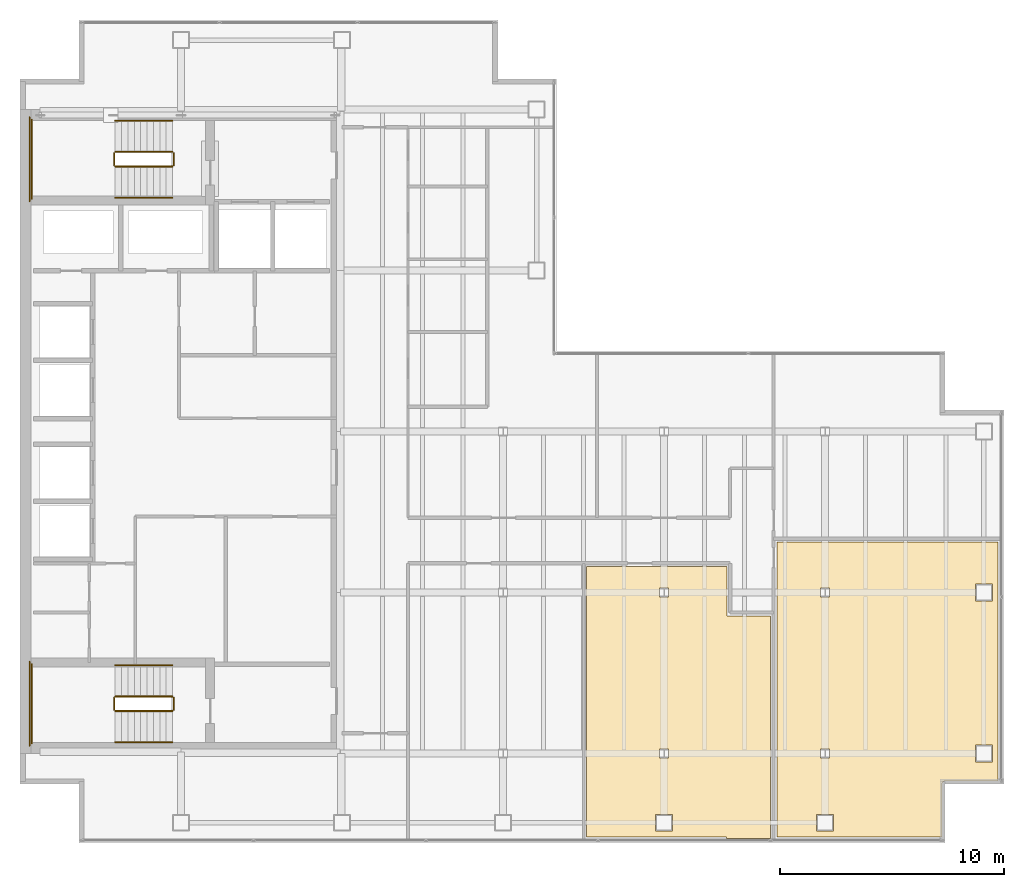
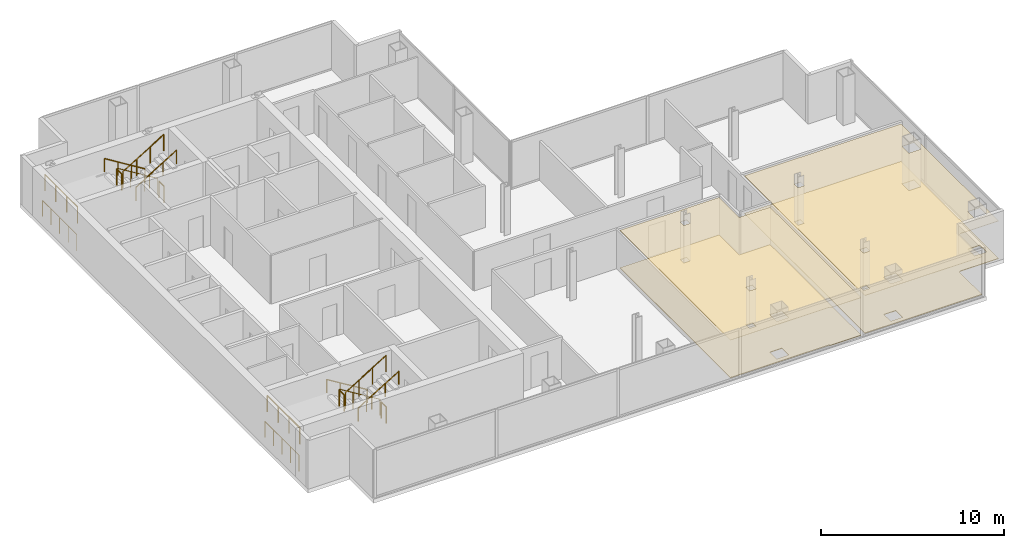
# One storey, part 23 of 23: 16 railings, 4 coverings.
"""IFC4 building model written with IfcOpenShell, lengths in metres."""

from ifc_helpers import new_model, si_unit, direction, frame, origin, origin_2d, place, context, subcontext, project, spatial, polyline, circle, outline, extrude, material, layer, layer_set, type_object, element, save


model = new_model("IFC4")

# Units and contexts
model_context = context("Model", 3, precision=1e-05, world=origin(), true_north=direction((0.0, 1.0)))
body_context = subcontext(model_context, "Body", "Model", "MODEL_VIEW")
ifc_project = project(units=[si_unit("LENGTHUNIT", "METRE"), si_unit("AREAUNIT", "SQUARE_METRE"), si_unit("VOLUMEUNIT", "CUBIC_METRE"), si_unit("PLANEANGLEUNIT", "RADIAN"), si_unit("MASSUNIT", "GRAM", prefix="KILO")], contexts=[model_context])

# Site, building, storey
site_placement = place(None, origin())
site = spatial("IfcSite", under=ifc_project, at=site_placement, CompositionType="ELEMENT")
building_placement = place(site_placement, origin())
building = spatial("IfcBuilding", under=site, at=building_placement, Name="Cobrela Telecom Tower", CompositionType="ELEMENT")
storey_placement = place(building_placement, frame((0.0, 0.0, 208.25)))
storey = spatial("IfcBuildingStorey", under=building, at=storey_placement, Name="L53", CompositionType="ELEMENT", Elevation=208.25)

# Coverings
ifc_material_1 = material(Name="Mineral Fibre Acoustic Ceiling Tile")
ifc_layer_1 = layer(ifc_material_1, 0.02490234375)
ifc_layer_set_1 = layer_set([ifc_layer_1], Name="Mineral Fibre Acoustic Ceiling Tile")
covering_type_1 = type_object("IfcCoveringType", Name="COV-CEIL-ACT", PredefinedType="CEILING", material=ifc_layer_set_1)
covering_1_placement = place(storey_placement, frame((0.0, 0.0, 2.52001953125)))
element("IfcCovering", 1, at=covering_1_placement, inside=storey, type_object=covering_type_1, Name="L53 Systems Engineering Studio 7 Suspended Acoustic Ceiling", PredefinedType="CEILING", context=body_context, shape_type="SweptSolid", body=[
    extrude(outline(polyline([(43.739990234375, 5.969970703125), (41.368896484375, 5.969970703125), (41.356201171875, 5.969482421875), (41.3427734375, 5.96728515625), (41.329345703125, 5.964111328125), (41.31640625, 5.95947265625), (41.303955078125, 5.95361328125), (41.2919921875, 5.9462890625), (41.28125, 5.938232421875), (41.27099609375, 5.928955078125), (41.26171875, 5.918701171875), (41.253662109375, 5.907958984375), (41.24658203125, 5.89599609375), (41.240478515625, 5.883544921875), (41.236083984375, 5.87060546875), (41.232666015625, 5.857421875), (41.230712890625, 5.84375), (41.22998046875, 5.8310546875), (41.22998046875, 3.4599609375), (33.840087890625, 3.4599609375), (33.840087890625, 16.659912109375), (43.739990234375, 16.659912109375), (43.739990234375, 5.969970703125)]), holes=[polyline([(36.375, 4.47509765625), (35.625, 4.47509765625), (35.625, 3.72509765625), (36.375, 3.72509765625), (36.375, 4.47509765625)]), polyline([(36.199462890625, 7.0029296875), (36.199462890625, 7.39697265625), (35.800537109375, 7.39697265625), (35.800537109375, 7.0029296875), (36.199462890625, 7.0029296875)]), polyline([(43.47509765625, 6.824951171875), (43.47509765625, 7.574951171875), (42.72509765625, 7.574951171875), (42.72509765625, 6.824951171875), (43.47509765625, 6.824951171875)]), polyline([(36.199462890625, 14.202880859375), (36.199462890625, 14.596923828125), (35.800537109375, 14.596923828125), (35.800537109375, 14.202880859375), (36.199462890625, 14.202880859375)]), polyline([(43.47509765625, 14.02490234375), (43.47509765625, 14.77490234375), (42.72509765625, 14.77490234375), (42.72509765625, 14.02490234375), (43.47509765625, 14.02490234375)])]), origin(), (0.0, 0.0, 1.0), 0.02490234375),
])
covering_2_placement = place(storey_placement, frame((0.0, 0.0, 2.52001953125)))
element("IfcCovering", 2, at=covering_2_placement, inside=storey, type_object=covering_type_1, Name="L53 Security Control Room 6 Suspended Acoustic Ceiling", PredefinedType="CEILING", context=body_context, shape_type="SweptSolid", body=[
    extrude(outline(polyline([(25.340087890625, 3.4599609375), (25.340087890625, 15.56005859375), (31.610107421875, 15.56005859375), (31.610107421875, 13.360107421875), (33.56005859375, 13.360107421875), (33.56005859375, 3.389892578125), (31.590087890625, 3.389892578125), (31.590087890625, 3.4599609375), (25.340087890625, 3.4599609375)]), holes=[polyline([(29.175048828125, 3.72509765625), (29.175048828125, 4.47509765625), (28.425048828125, 4.47509765625), (28.425048828125, 3.72509765625), (29.175048828125, 3.72509765625)]), polyline([(28.99951171875, 7.39697265625), (28.6005859375, 7.39697265625), (28.6005859375, 7.0029296875), (28.99951171875, 7.0029296875), (28.99951171875, 7.39697265625)]), polyline([(28.99951171875, 14.596923828125), (28.6005859375, 14.596923828125), (28.6005859375, 14.202880859375), (28.99951171875, 14.202880859375), (28.99951171875, 14.596923828125)])]), origin(), (0.0, 0.0, 1.0), 0.02490234375),
])
ifc_material_2 = material(Name="Honed Colombian Basalt Stone", Category="masonry")
ifc_layer_2 = layer(ifc_material_2, 0.0400390625)
ifc_layer_set_2 = layer_set([ifc_layer_2], Name="Honed Colombian Basalt Stone")
covering_type_2 = type_object("IfcCoveringType", Name="COV-FLR-STONE", PredefinedType="FLOORING", material=ifc_layer_set_2)
covering_3_placement = place(storey_placement, origin())
element("IfcCovering", 3, at=covering_3_placement, inside=storey, type_object=covering_type_2, Name="L53 Systems Engineering Studio 7 Raised Technical Flooring", PredefinedType="FLOORING", context=body_context, shape_type="SweptSolid", body=[
    extrude(outline(polyline([(43.739990234375, 5.969970703125), (41.368896484375, 5.969970703125), (41.356201171875, 5.969482421875), (41.3427734375, 5.96728515625), (41.329345703125, 5.964111328125), (41.31640625, 5.95947265625), (41.303955078125, 5.95361328125), (41.2919921875, 5.9462890625), (41.28125, 5.938232421875), (41.27099609375, 5.928955078125), (41.26171875, 5.918701171875), (41.253662109375, 5.907958984375), (41.24658203125, 5.89599609375), (41.240478515625, 5.883544921875), (41.236083984375, 5.87060546875), (41.232666015625, 5.857421875), (41.230712890625, 5.84375), (41.22998046875, 5.8310546875), (41.22998046875, 3.4599609375), (33.840087890625, 3.4599609375), (33.840087890625, 16.659912109375), (43.739990234375, 16.659912109375), (43.739990234375, 5.969970703125)]), holes=[polyline([(36.375, 4.47509765625), (35.625, 4.47509765625), (35.625, 3.72509765625), (36.375, 3.72509765625), (36.375, 4.47509765625)]), polyline([(36.199462890625, 7.0029296875), (36.199462890625, 7.39697265625), (35.800537109375, 7.39697265625), (35.800537109375, 7.0029296875), (36.199462890625, 7.0029296875)]), polyline([(43.47509765625, 6.824951171875), (43.47509765625, 7.574951171875), (42.72509765625, 7.574951171875), (42.72509765625, 6.824951171875), (43.47509765625, 6.824951171875)]), polyline([(36.199462890625, 14.202880859375), (36.199462890625, 14.596923828125), (35.800537109375, 14.596923828125), (35.800537109375, 14.202880859375), (36.199462890625, 14.202880859375)]), polyline([(43.47509765625, 14.02490234375), (43.47509765625, 14.77490234375), (42.72509765625, 14.77490234375), (42.72509765625, 14.02490234375), (43.47509765625, 14.02490234375)])]), origin(), (0.0, 0.0, 1.0), 0.0400390625),
])
covering_4_placement = place(storey_placement, origin())
element("IfcCovering", 4, at=covering_4_placement, inside=storey, type_object=covering_type_2, Name="L53 Security Control Room 6 Raised Technical Flooring", PredefinedType="FLOORING", context=body_context, shape_type="SweptSolid", body=[
    extrude(outline(polyline([(25.340087890625, 3.4599609375), (25.340087890625, 15.56005859375), (31.610107421875, 15.56005859375), (31.610107421875, 13.360107421875), (33.56005859375, 13.360107421875), (33.56005859375, 3.389892578125), (31.590087890625, 3.389892578125), (31.590087890625, 3.4599609375), (25.340087890625, 3.4599609375)]), holes=[polyline([(29.175048828125, 3.72509765625), (29.175048828125, 4.47509765625), (28.425048828125, 4.47509765625), (28.425048828125, 3.72509765625), (29.175048828125, 3.72509765625)]), polyline([(28.99951171875, 7.39697265625), (28.6005859375, 7.39697265625), (28.6005859375, 7.0029296875), (28.99951171875, 7.0029296875), (28.99951171875, 7.39697265625)]), polyline([(28.99951171875, 14.596923828125), (28.6005859375, 14.596923828125), (28.6005859375, 14.202880859375), (28.99951171875, 14.202880859375), (28.99951171875, 14.596923828125)])]), origin(), (0.0, 0.0, 1.0), 0.0400390625),
])

# Railings
ifc_material_3 = material(Name="Steel ASTM A36", Category="steel")
railing_type_1 = type_object("IfcRailingType", Name="RAIL-GUARD-1100", PredefinedType="GUARDRAIL", material=ifc_material_3)
railing_1_placement = place(storey_placement, frame((6.820068359375, 34.10009765625, 0.175048828125)))
element("IfcRailing", 5, at=railing_1_placement, inside=storey, type_object=railing_type_1, Name="L53 ST1 stair guard 1", PredefinedType="GUARDRAIL", context=body_context, shape_type="SweptSolid", body=[
    extrude(circle(Radius=0.02392578125, at=origin_2d()), frame((0.0, 0.0, 1.076171875), z_axis=(-0.852195335862, 0.0, 0.523223766217), x_axis=(0.0, -1.0, 0.0)), (0.0, 0.0, 1.0), 3.010009765625),
    extrude(circle(Radius=0.02099609375, at=origin_2d()), origin(), (0.0, 0.0, 1.0), 1.052001953125),
    extrude(circle(Radius=0.02099609375, at=origin_2d()), frame((-0.85498046875, 0.0, 0.52490234375)), (0.0, 0.0, 1.0), 1.052001953125),
    extrude(circle(Radius=0.02099609375, at=origin_2d()), frame((-1.710205078125, 0.0, 1.050048828125)), (0.0, 0.0, 1.0), 1.052001953125),
    extrude(circle(Radius=0.02099609375, at=origin_2d()), frame((-2.565185546875, 0.0, 1.574951171875)), (0.0, 0.0, 1.0), 1.052001953125),
])
railing_2_placement = place(storey_placement, frame((4.205078125, 34.050048828125, 1.75)))
element("IfcRailing", 6, at=railing_2_placement, inside=storey, type_object=railing_type_1, Name="L53 ST1 stair guard 2", PredefinedType="GUARDRAIL", context=body_context, shape_type="SweptSolid", body=[
    extrude(circle(Radius=0.02392578125, at=origin_2d()), frame((0.0, 0.0, 1.076171875), z_axis=(0.0, -1.0, 0.0), x_axis=(1.0, 0.0, 0.0)), (0.0, 0.0, 1.0), 0.550048828125),
    extrude(circle(Radius=0.02099609375, at=origin_2d()), origin(), (0.0, 0.0, 1.0), 1.052001953125),
    extrude(circle(Radius=0.02099609375, at=origin_2d()), frame((0.0, -0.550048828125, 0.0)), (0.0, 0.0, 1.0), 1.052001953125),
])
railing_3_placement = place(storey_placement, frame((0.530029296875, 35.550048828125, 1.75)))
element("IfcRailing", 7, at=railing_3_placement, inside=storey, type_object=railing_type_1, Name="L53 ST1 stair guard 3", PredefinedType="GUARDRAIL", context=body_context, shape_type="SweptSolid", body=[
    extrude(circle(Radius=0.02392578125, at=origin_2d()), frame((0.0, 0.0, 1.076171875), z_axis=(0.0, -1.0, 0.0), x_axis=(1.0, 0.0, 0.0)), (0.0, 0.0, 1.0), 3.550048828125),
    extrude(circle(Radius=0.02099609375, at=origin_2d()), origin(), (0.0, 0.0, 1.0), 1.052001953125),
    extrude(circle(Radius=0.02099609375, at=origin_2d()), frame((0.0, -1.183349609375, 0.0)), (0.0, 0.0, 1.0), 1.052001953125),
    extrude(circle(Radius=0.02099609375, at=origin_2d()), frame((0.0, -2.36669921875, 0.0)), (0.0, 0.0, 1.0), 1.052001953125),
    extrude(circle(Radius=0.02099609375, at=origin_2d()), frame((0.0, -3.550048828125, 0.0)), (0.0, 0.0, 1.0), 1.052001953125),
])
railing_4_placement = place(storey_placement, frame((4.2548828125, 33.449951171875, 1.925048828125)))
element("IfcRailing", 8, at=railing_4_placement, inside=storey, type_object=railing_type_1, Name="L53 ST1 stair guard 4", PredefinedType="GUARDRAIL", context=body_context, shape_type="SweptSolid", body=[
    extrude(circle(Radius=0.02392578125, at=origin_2d()), frame((0.0, 0.0, 1.076171875), z_axis=(0.852195335862, 0.0, 0.523223766217), x_axis=(0.0, 1.0, 0.0)), (0.0, 0.0, 1.0), 3.010009765625),
    extrude(circle(Radius=0.02099609375, at=origin_2d()), origin(), (0.0, 0.0, 1.0), 1.052001953125),
    extrude(circle(Radius=0.02099609375, at=origin_2d()), frame((0.85498046875, 0.0, 0.52490234375)), (0.0, 0.0, 1.0), 1.052001953125),
    extrude(circle(Radius=0.02099609375, at=origin_2d()), frame((1.710205078125, 0.0, 1.050048828125)), (0.0, 0.0, 1.0), 1.052001953125),
    extrude(circle(Radius=0.02099609375, at=origin_2d()), frame((2.565185546875, 0.0, 1.574951171875)), (0.0, 0.0, 1.0), 1.052001953125),
])
railing_5_placement = place(storey_placement, frame((6.8701171875, 34.050048828125, 0.0)))
element("IfcRailing", 9, at=railing_5_placement, inside=storey, type_object=railing_type_1, Name="L53 ST1 stair guard 5", PredefinedType="GUARDRAIL", context=body_context, shape_type="SweptSolid", body=[
    extrude(circle(Radius=0.02392578125, at=origin_2d()), frame((0.0, 0.0, 1.076171875), z_axis=(0.0, -1.0, 0.0), x_axis=(1.0, 0.0, 0.0)), (0.0, 0.0, 1.0), 0.550048828125),
    extrude(circle(Radius=0.02099609375, at=origin_2d()), origin(), (0.0, 0.0, 1.0), 1.052001953125),
    extrude(circle(Radius=0.02099609375, at=origin_2d()), frame((0.0, -0.550048828125, 0.0)), (0.0, 0.0, 1.0), 1.052001953125),
])
railing_6_placement = place(storey_placement, frame((0.429931640625, 35.64990234375, 0.0)))
element("IfcRailing", 10, at=railing_6_placement, inside=storey, type_object=railing_type_1, Name="L53 ST1 stair guard 6", PredefinedType="GUARDRAIL", context=body_context, shape_type="SweptSolid", body=[
    extrude(circle(Radius=0.02392578125, at=origin_2d()), frame((0.0, 0.0, 1.076171875), z_axis=(0.0, -1.0, 0.0), x_axis=(1.0, 0.0, 0.0)), (0.0, 0.0, 1.0), 3.75),
    extrude(circle(Radius=0.02099609375, at=origin_2d()), origin(), (0.0, 0.0, 1.0), 1.052001953125),
    extrude(circle(Radius=0.02099609375, at=origin_2d()), frame((0.0, -0.9375, 0.0)), (0.0, 0.0, 1.0), 1.052001953125),
    extrude(circle(Radius=0.02099609375, at=origin_2d()), frame((0.0, -1.875, 0.0)), (0.0, 0.0, 1.0), 1.052001953125),
    extrude(circle(Radius=0.02099609375, at=origin_2d()), frame((0.0, -2.8125, 0.0)), (0.0, 0.0, 1.0), 1.052001953125),
    extrude(circle(Radius=0.02099609375, at=origin_2d()), frame((0.0, -3.75, 0.0)), (0.0, 0.0, 1.0), 1.052001953125),
])
railing_7_placement = place(storey_placement, frame((6.820068359375, 9.75, 0.175048828125)))
element("IfcRailing", 11, at=railing_7_placement, inside=storey, type_object=railing_type_1, Name="L53 ST2 stair guard 1", PredefinedType="GUARDRAIL", context=body_context, shape_type="SweptSolid", body=[
    extrude(circle(Radius=0.02392578125, at=origin_2d()), frame((0.0, 0.0, 1.076171875), z_axis=(-0.852195335862, 0.0, 0.523223766217), x_axis=(0.0, -1.0, 0.0)), (0.0, 0.0, 1.0), 3.010009765625),
    extrude(circle(Radius=0.02099609375, at=origin_2d()), origin(), (0.0, 0.0, 1.0), 1.052001953125),
    extrude(circle(Radius=0.02099609375, at=origin_2d()), frame((-0.85498046875, 0.0, 0.52490234375)), (0.0, 0.0, 1.0), 1.052001953125),
    extrude(circle(Radius=0.02099609375, at=origin_2d()), frame((-1.710205078125, 0.0, 1.050048828125)), (0.0, 0.0, 1.0), 1.052001953125),
    extrude(circle(Radius=0.02099609375, at=origin_2d()), frame((-2.565185546875, 0.0, 1.574951171875)), (0.0, 0.0, 1.0), 1.052001953125),
])
railing_8_placement = place(storey_placement, frame((4.205078125, 9.699951171875, 1.75)))
element("IfcRailing", 12, at=railing_8_placement, inside=storey, type_object=railing_type_1, Name="L53 ST2 stair guard 2", PredefinedType="GUARDRAIL", context=body_context, shape_type="SweptSolid", body=[
    extrude(circle(Radius=0.02392578125, at=origin_2d()), frame((0.0, 0.0, 1.076171875), z_axis=(0.0, -1.0, 0.0), x_axis=(1.0, 0.0, 0.0)), (0.0, 0.0, 1.0), 0.550048828125),
    extrude(circle(Radius=0.02099609375, at=origin_2d()), origin(), (0.0, 0.0, 1.0), 1.052001953125),
    extrude(circle(Radius=0.02099609375, at=origin_2d()), frame((0.0, -0.550048828125, 0.0)), (0.0, 0.0, 1.0), 1.052001953125),
])
railing_9_placement = place(storey_placement, frame((0.530029296875, 11.199951171875, 1.75)))
element("IfcRailing", 13, at=railing_9_placement, inside=storey, type_object=railing_type_1, Name="L53 ST2 stair guard 3", PredefinedType="GUARDRAIL", context=body_context, shape_type="SweptSolid", body=[
    extrude(circle(Radius=0.02392578125, at=origin_2d()), frame((0.0, 0.0, 1.076171875), z_axis=(0.0, -1.0, 0.0), x_axis=(1.0, 0.0, 0.0)), (0.0, 0.0, 1.0), 3.550048828125),
    extrude(circle(Radius=0.02099609375, at=origin_2d()), origin(), (0.0, 0.0, 1.0), 1.052001953125),
    extrude(circle(Radius=0.02099609375, at=origin_2d()), frame((0.0, -1.183349609375, 0.0)), (0.0, 0.0, 1.0), 1.052001953125),
    extrude(circle(Radius=0.02099609375, at=origin_2d()), frame((0.0, -2.36669921875, 0.0)), (0.0, 0.0, 1.0), 1.052001953125),
    extrude(circle(Radius=0.02099609375, at=origin_2d()), frame((0.0, -3.550048828125, 0.0)), (0.0, 0.0, 1.0), 1.052001953125),
])
railing_10_placement = place(storey_placement, frame((4.2548828125, 9.10009765625, 1.925048828125)))
element("IfcRailing", 14, at=railing_10_placement, inside=storey, type_object=railing_type_1, Name="L53 ST2 stair guard 4", PredefinedType="GUARDRAIL", context=body_context, shape_type="SweptSolid", body=[
    extrude(circle(Radius=0.02392578125, at=origin_2d()), frame((0.0, 0.0, 1.076171875), z_axis=(0.852195335862, 0.0, 0.523223766217), x_axis=(0.0, 1.0, 0.0)), (0.0, 0.0, 1.0), 3.010009765625),
    extrude(circle(Radius=0.02099609375, at=origin_2d()), origin(), (0.0, 0.0, 1.0), 1.052001953125),
    extrude(circle(Radius=0.02099609375, at=origin_2d()), frame((0.85498046875, 0.0, 0.52490234375)), (0.0, 0.0, 1.0), 1.052001953125),
    extrude(circle(Radius=0.02099609375, at=origin_2d()), frame((1.710205078125, 0.0, 1.050048828125)), (0.0, 0.0, 1.0), 1.052001953125),
    extrude(circle(Radius=0.02099609375, at=origin_2d()), frame((2.565185546875, 0.0, 1.574951171875)), (0.0, 0.0, 1.0), 1.052001953125),
])
railing_11_placement = place(storey_placement, frame((6.8701171875, 9.699951171875, 0.0)))
element("IfcRailing", 15, at=railing_11_placement, inside=storey, type_object=railing_type_1, Name="L53 ST2 stair guard 5", PredefinedType="GUARDRAIL", context=body_context, shape_type="SweptSolid", body=[
    extrude(circle(Radius=0.02392578125, at=origin_2d()), frame((0.0, 0.0, 1.076171875), z_axis=(0.0, -1.0, 0.0), x_axis=(1.0, 0.0, 0.0)), (0.0, 0.0, 1.0), 0.550048828125),
    extrude(circle(Radius=0.02099609375, at=origin_2d()), origin(), (0.0, 0.0, 1.0), 1.052001953125),
    extrude(circle(Radius=0.02099609375, at=origin_2d()), frame((0.0, -0.550048828125, 0.0)), (0.0, 0.0, 1.0), 1.052001953125),
])
railing_12_placement = place(storey_placement, frame((0.429931640625, 11.300048828125, 0.0)))
element("IfcRailing", 16, at=railing_12_placement, inside=storey, type_object=railing_type_1, Name="L53 ST2 stair guard 6", PredefinedType="GUARDRAIL", context=body_context, shape_type="SweptSolid", body=[
    extrude(circle(Radius=0.02392578125, at=origin_2d()), frame((0.0, 0.0, 1.076171875), z_axis=(0.0, -1.0, 0.0), x_axis=(1.0, 0.0, 0.0)), (0.0, 0.0, 1.0), 3.75),
    extrude(circle(Radius=0.02099609375, at=origin_2d()), origin(), (0.0, 0.0, 1.0), 1.052001953125),
    extrude(circle(Radius=0.02099609375, at=origin_2d()), frame((0.0, -0.9375, 0.0)), (0.0, 0.0, 1.0), 1.052001953125),
    extrude(circle(Radius=0.02099609375, at=origin_2d()), frame((0.0, -1.875, 0.0)), (0.0, 0.0, 1.0), 1.052001953125),
    extrude(circle(Radius=0.02099609375, at=origin_2d()), frame((0.0, -2.8125, 0.0)), (0.0, 0.0, 1.0), 1.052001953125),
    extrude(circle(Radius=0.02099609375, at=origin_2d()), frame((0.0, -3.75, 0.0)), (0.0, 0.0, 1.0), 1.052001953125),
])
railing_type_2 = type_object("IfcRailingType", Name="RAIL-HAND-920", PredefinedType="HANDRAIL", material=ifc_material_3)
railing_13_placement = place(storey_placement, frame((6.820068359375, 35.5, 0.175048828125)))
element("IfcRailing", 17, at=railing_13_placement, inside=storey, type_object=railing_type_2, Name="L53 ST1 stair handrail 1", PredefinedType="HANDRAIL", context=body_context, shape_type="SweptSolid", body=[
    extrude(circle(Radius=0.02392578125, at=origin_2d()), frame((0.0, 0.0, 0.8759765625), z_axis=(-0.852195335862, 0.0, 0.523223766217), x_axis=(0.0, -1.0, 0.0)), (0.0, 0.0, 1.0), 3.010009765625),
    extrude(circle(Radius=0.02099609375, at=origin_2d()), origin(), (0.0, 0.0, 1.0), 0.851806640625),
    extrude(circle(Radius=0.02099609375, at=origin_2d()), frame((-0.85498046875, 0.0, 0.52490234375)), (0.0, 0.0, 1.0), 0.851806640625),
    extrude(circle(Radius=0.02099609375, at=origin_2d()), frame((-1.710205078125, 0.0, 1.050048828125)), (0.0, 0.0, 1.0), 0.851806640625),
    extrude(circle(Radius=0.02099609375, at=origin_2d()), frame((-2.565185546875, 0.0, 1.574951171875)), (0.0, 0.0, 1.0), 0.851806640625),
])
railing_14_placement = place(storey_placement, frame((4.2548828125, 32.050048828125, 1.925048828125)))
element("IfcRailing", 18, at=railing_14_placement, inside=storey, type_object=railing_type_2, Name="L53 ST1 stair handrail 2", PredefinedType="HANDRAIL", context=body_context, shape_type="SweptSolid", body=[
    extrude(circle(Radius=0.02392578125, at=origin_2d()), frame((0.0, 0.0, 0.8759765625), z_axis=(0.852195335862, 0.0, 0.523223766217), x_axis=(0.0, 1.0, 0.0)), (0.0, 0.0, 1.0), 3.010009765625),
    extrude(circle(Radius=0.02099609375, at=origin_2d()), origin(), (0.0, 0.0, 1.0), 0.851806640625),
    extrude(circle(Radius=0.02099609375, at=origin_2d()), frame((0.85498046875, 0.0, 0.52490234375)), (0.0, 0.0, 1.0), 0.851806640625),
    extrude(circle(Radius=0.02099609375, at=origin_2d()), frame((1.710205078125, 0.0, 1.050048828125)), (0.0, 0.0, 1.0), 0.851806640625),
    extrude(circle(Radius=0.02099609375, at=origin_2d()), frame((2.565185546875, 0.0, 1.574951171875)), (0.0, 0.0, 1.0), 0.851806640625),
])
railing_15_placement = place(storey_placement, frame((6.820068359375, 11.14990234375, 0.175048828125)))
element("IfcRailing", 19, at=railing_15_placement, inside=storey, type_object=railing_type_2, Name="L53 ST2 stair handrail 1", PredefinedType="HANDRAIL", context=body_context, shape_type="SweptSolid", body=[
    extrude(circle(Radius=0.02392578125, at=origin_2d()), frame((0.0, 0.0, 0.8759765625), z_axis=(-0.852195335862, 0.0, 0.523223766217), x_axis=(0.0, -1.0, 0.0)), (0.0, 0.0, 1.0), 3.010009765625),
    extrude(circle(Radius=0.02099609375, at=origin_2d()), origin(), (0.0, 0.0, 1.0), 0.851806640625),
    extrude(circle(Radius=0.02099609375, at=origin_2d()), frame((-0.85498046875, 0.0, 0.52490234375)), (0.0, 0.0, 1.0), 0.851806640625),
    extrude(circle(Radius=0.02099609375, at=origin_2d()), frame((-1.710205078125, 0.0, 1.050048828125)), (0.0, 0.0, 1.0), 0.851806640625),
    extrude(circle(Radius=0.02099609375, at=origin_2d()), frame((-2.565185546875, 0.0, 1.574951171875)), (0.0, 0.0, 1.0), 0.851806640625),
])
railing_16_placement = place(storey_placement, frame((4.2548828125, 7.699951171875, 1.925048828125)))
element("IfcRailing", 20, at=railing_16_placement, inside=storey, type_object=railing_type_2, Name="L53 ST2 stair handrail 2", PredefinedType="HANDRAIL", context=body_context, shape_type="SweptSolid", body=[
    extrude(circle(Radius=0.02392578125, at=origin_2d()), frame((0.0, 0.0, 0.8759765625), z_axis=(0.852195335862, 0.0, 0.523223766217), x_axis=(0.0, 1.0, 0.0)), (0.0, 0.0, 1.0), 3.010009765625),
    extrude(circle(Radius=0.02099609375, at=origin_2d()), origin(), (0.0, 0.0, 1.0), 0.851806640625),
    extrude(circle(Radius=0.02099609375, at=origin_2d()), frame((0.85498046875, 0.0, 0.52490234375)), (0.0, 0.0, 1.0), 0.851806640625),
    extrude(circle(Radius=0.02099609375, at=origin_2d()), frame((1.710205078125, 0.0, 1.050048828125)), (0.0, 0.0, 1.0), 0.851806640625),
    extrude(circle(Radius=0.02099609375, at=origin_2d()), frame((2.565185546875, 0.0, 1.574951171875)), (0.0, 0.0, 1.0), 0.851806640625),
])

save(model, "model.ifc")
